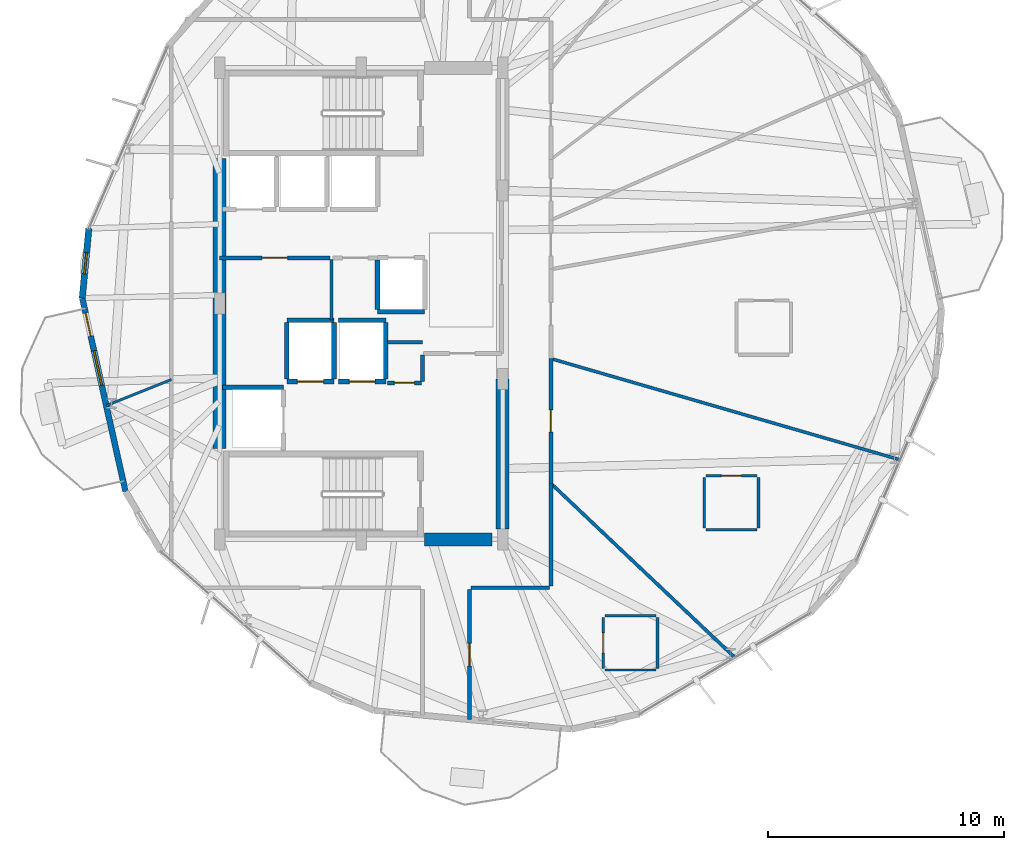
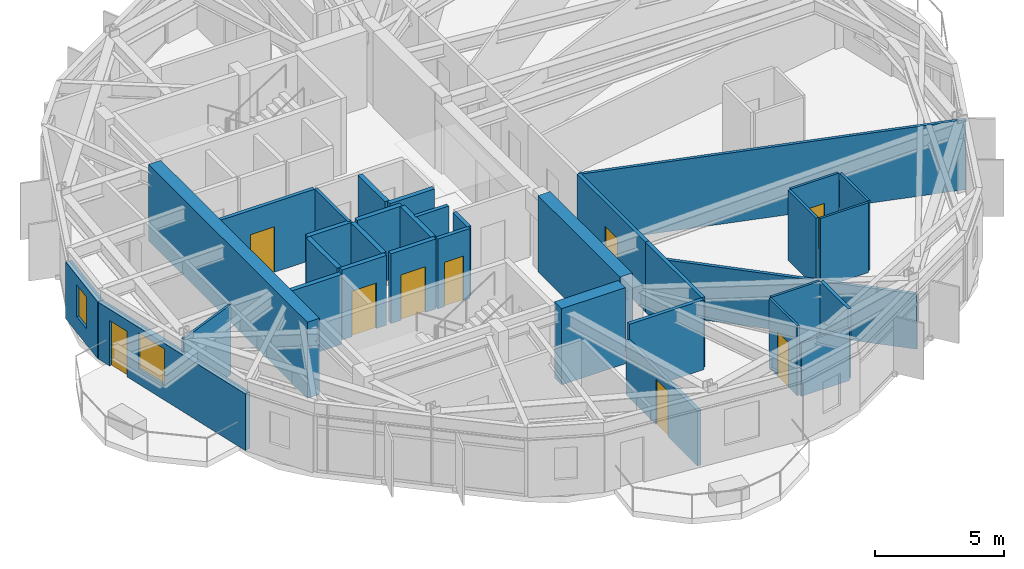
# One storey, part 16 of 21: 35 walls, 9 doors, 2 windows, 11 openings.
"""IFC4 building model written with IfcOpenShell, lengths in metres."""

from ifc_helpers import new_model, si_unit, direction, frame, frame_2d, origin, place, context, subcontext, project, spatial, rectangle, extrude, material, layer, layer_set, type_object, element, fill, save


model = new_model("IFC4")

# Units and contexts
model_context = context("Model", 3, precision=1e-05, world=origin(), true_north=direction((0.0, 1.0)))
body_context = subcontext(model_context, "Body", "Model", "MODEL_VIEW")
ifc_project = project(units=[si_unit("LENGTHUNIT", "METRE"), si_unit("AREAUNIT", "SQUARE_METRE"), si_unit("VOLUMEUNIT", "CUBIC_METRE"), si_unit("PLANEANGLEUNIT", "RADIAN"), si_unit("MASSUNIT", "GRAM", prefix="KILO")], contexts=[model_context])

# Site, building, storey
site_placement = place(None, origin())
site = spatial("IfcSite", under=ifc_project, at=site_placement, CompositionType="ELEMENT")
building_placement = place(site_placement, origin())
building = spatial("IfcBuilding", under=site, at=building_placement, Name="Soratama Intermodal Tower", CompositionType="ELEMENT")
storey_placement = place(building_placement, frame((0.0, 0.0, 146.199951171875)))
storey = spatial("IfcBuildingStorey", under=building, at=storey_placement, Name="L35", CompositionType="ELEMENT", Elevation=146.199951171875)

# Wall, openings, door, window
ifc_material_1 = material(Name="Concrete f'c 42 MPa", Category="concrete")
ifc_layer_1 = layer(ifc_material_1, 0.25)
ifc_layer_set_1 = layer_set([ifc_layer_1], Name="Concrete f'c 42 MPa")
wall_type_1 = type_object("IfcWallType", Name="EW-BAL-250", PredefinedType="SOLIDWALL", material=ifc_layer_set_1)
wall_1_placement = place(storey_placement, frame((26.7763671875, 25.232666015625, 0.0), z_axis=(0.0, 0.0, 1.0), x_axis=(0.218148242033, -0.975915644151, 0.0)))
wall_1 = element("IfcWall", 1, at=wall_1_placement, inside=storey, type_object=wall_type_1, Name="L35 Terrace Wall F05", PredefinedType="SOLIDWALL", context=body_context, shape_type="SweptSolid", body=[
    extrude(rectangle(XDim=8.40478515625, YDim=0.25, at=frame_2d((4.202392578125, 0.0))), origin(), (0.0, 0.0, 1.0), 2.678955078125),
])
opening_1_placement = place(wall_1_placement, frame((0.64990234375, 0.0, 0.0)))
opening_1 = element("IfcOpeningElement", 2, at=opening_1_placement, cuts=wall_1, Name="Opening ED-2", PredefinedType="OPENING", context=body_context, shape_type="SweptSolid", body=[
    extrude(rectangle(XDim=1.0, YDim=2.14990234375, at=frame_2d((0.5, 1.074951171875))), frame((0.0, 0.135009765625, 0.0), z_axis=(0.0, -1.0, 0.0), x_axis=(1.0, 0.0, 0.0)), (0.0, 0.0, 1.0), 0.27001953125),
])
opening_2_placement = place(wall_1_placement, frame((2.2900390625, 0.0, 0.719970703125)))
opening_2 = element("IfcOpeningElement", 3, at=opening_2_placement, cuts=wall_1, Name="Opening WN-1", PredefinedType="OPENING", context=body_context, shape_type="SweptSolid", body=[
    extrude(rectangle(XDim=1.5, YDim=1.699951171875, at=frame_2d((0.75, 0.85009765625))), frame((0.0, 0.135009765625, 0.0), z_axis=(0.0, -1.0, 0.0), x_axis=(1.0, 0.0, 0.0)), (0.0, 0.0, 1.0), 0.27001953125),
])
ifc_material_2 = material(Name="Double-glazed aluminium door", Category="aluminium")
door_type_1 = type_object("IfcDoorType", Name="DR-BAL-1000", OperationType="NOTDEFINED", PredefinedType="DOOR", material=ifc_material_2)
door_1_placement = place(opening_1_placement, origin())
door_1 = element("IfcDoor", 4, at=door_1_placement, inside=storey, type_object=door_type_1, Name="L35 Balcony Door F05", OperationType="SINGLE_SWING_LEFT", OverallHeight=2.14990234375, OverallWidth=1.0, PredefinedType="DOOR", context=body_context, shape_type="SweptSolid", body=[
    extrude(rectangle(XDim=1.0, YDim=2.14990234375, at=frame_2d((0.5, 1.074951171875))), frame((0.0, 0.02490234375, 0.0), z_axis=(0.0, -1.0, 0.0), x_axis=(1.0, 0.0, 0.0)), (0.0, 0.0, 1.0), 0.050048828125),
])
fill(opening_1, door_1)
ifc_material_3 = material(Name="Double-glazed aluminium window", Category="aluminium")
window_type_1 = type_object("IfcWindowType", Name="WN-FAC-1500", PartitioningType="SINGLE_PANEL", PredefinedType="WINDOW", material=ifc_material_3)
window_1_placement = place(opening_2_placement, origin())
window_1 = element("IfcWindow", 5, at=window_1_placement, inside=storey, type_object=window_type_1, Name="L35 Window B F05", OverallHeight=1.699951171875, OverallWidth=1.5, PartitioningType="SINGLE_PANEL", PredefinedType="WINDOW", context=body_context, shape_type="SweptSolid", body=[
    extrude(rectangle(XDim=1.5, YDim=1.699951171875, at=frame_2d((0.75, 0.85009765625))), frame((0.0, 0.030029296875, 0.0), z_axis=(0.0, -1.0, 0.0), x_axis=(1.0, 0.0, 0.0)), (0.0, 0.0, 1.0), 0.06005859375),
])
fill(opening_2, window_1)

# Wall, opening, window
ifc_material_4 = material(Name="Concrete f'c 42 MPa", Category="concrete")
ifc_layer_2 = layer(ifc_material_4, 0.27001953125)
ifc_layer_set_2 = layer_set([ifc_layer_2], Name="Concrete f'c 42 MPa")
wall_type_2 = type_object("IfcWallType", Name="EW-CRN-270", PredefinedType="SOLIDWALL", material=ifc_layer_set_2)
wall_2_placement = place(storey_placement, frame((27.0556640625, 28.18603515625, 0.0), z_axis=(0.0, 0.0, 1.0), x_axis=(-0.094148838896, -0.995558132976, 0.0)))
wall_2 = element("IfcWall", 6, at=wall_2_placement, inside=storey, type_object=wall_type_2, Name="L35 Corner Closure Wall 04", PredefinedType="SOLIDWALL", context=body_context, shape_type="SweptSolid", body=[
    extrude(rectangle(XDim=2.966552734375, YDim=0.27001953125, at=frame_2d((1.4833984375, 0.0))), origin(), (0.0, 0.0, 1.0), 2.678955078125),
])
opening_3_placement = place(wall_2_placement, frame((1.033203125, 0.0, 0.75)))
opening_3 = element("IfcOpeningElement", 7, at=opening_3_placement, cuts=wall_2, Name="Opening WN-6", PredefinedType="OPENING", context=body_context, shape_type="SweptSolid", body=[
    extrude(rectangle(XDim=0.89990234375, YDim=1.5, at=frame_2d((0.449951171875, 0.75))), frame((0.0, 0.14501953125, 0.0), z_axis=(0.0, -1.0, 0.0), x_axis=(1.0, 0.0, 0.0)), (0.0, 0.0, 1.0), 0.2900390625),
])
ifc_material_5 = material(Name="Double-glazed aluminium window", Category="aluminium")
window_type_2 = type_object("IfcWindowType", Name="WN-FAC-900", PartitioningType="SINGLE_PANEL", PredefinedType="WINDOW", material=ifc_material_5)
window_2_placement = place(opening_3_placement, origin())
window_2 = element("IfcWindow", 8, at=window_2_placement, inside=storey, type_object=window_type_2, Name="L35 Corner Window 04", OverallHeight=1.5, OverallWidth=0.89990234375, PartitioningType="SINGLE_PANEL", PredefinedType="WINDOW", context=body_context, shape_type="SweptSolid", body=[
    extrude(rectangle(XDim=0.89990234375, YDim=1.5, at=frame_2d((0.449951171875, 0.75))), frame((0.0, 0.030029296875, 0.0), z_axis=(0.0, -1.0, 0.0), x_axis=(1.0, 0.0, 0.0)), (0.0, 0.0, 1.0), 0.06005859375),
])
fill(opening_3, window_2)

# Wall, opening, door
ifc_material_6 = material(Name="Fire-rated gypsum stud partition", Category="concrete")
ifc_layer_3 = layer(ifc_material_6, 0.159912109375)
ifc_layer_set_3 = layer_set([ifc_layer_3], Name="Fire-rated gypsum stud partition")
wall_type_3 = type_object("IfcWallType", Name="IW-PART-R160", PredefinedType="PARTITIONING", material=ifc_layer_set_3)
wall_3_placement = place(storey_placement, frame((43.199951171875, 12.8798828125, 0.0), z_axis=(0.0, 0.0, 1.0), x_axis=(0.0, -1.0, 0.0)))
wall_3 = element("IfcWall", 9, at=wall_3_placement, inside=storey, type_object=wall_type_3, Name="L35 Partition W-L35-TP014", PredefinedType="PARTITIONING", context=body_context, shape_type="SweptSolid", body=[
    extrude(rectangle(XDim=5.52294921875, YDim=0.159912109375, at=frame_2d((2.761474609375, 0.0))), origin(), (0.0, 0.0, 1.0), 2.594970703125),
])
opening_4_placement = place(wall_3_placement, frame((2.287109375, 0.0, 0.0)))
opening_4 = element("IfcOpeningElement", 10, at=opening_4_placement, cuts=wall_3, Name="Opening ID-3", PredefinedType="OPENING", context=body_context, shape_type="SweptSolid", body=[
    extrude(rectangle(XDim=0.949951171875, YDim=2.14990234375, at=frame_2d((0.47509765625, 1.074951171875))), frame((0.0, 0.08984375, 0.0), z_axis=(0.0, -1.0, 0.0), x_axis=(1.0, 0.0, 0.0)), (0.0, 0.0, 1.0), 0.179931640625),
])
ifc_material_7 = material(Name="Solid hardwood acoustic door", Category="wood")
door_type_2 = type_object("IfcDoorType", Name="DR-ROOM-950", OperationType="NOTDEFINED", PredefinedType="DOOR", material=ifc_material_7)
door_2_placement = place(opening_4_placement, origin())
door_2 = element("IfcDoor", 11, at=door_2_placement, inside=storey, type_object=door_type_2, Name="L35 Door D-L35-TP007", OperationType="SINGLE_SWING_RIGHT", OverallHeight=2.14990234375, OverallWidth=0.949951171875, PredefinedType="DOOR", context=body_context, shape_type="SweptSolid", body=[
    extrude(rectangle(XDim=0.949951171875, YDim=2.14990234375, at=frame_2d((0.47509765625, 1.074951171875))), frame((0.0, 0.02490234375, 0.0), z_axis=(0.0, -1.0, 0.0), x_axis=(1.0, 0.0, 0.0)), (0.0, 0.0, 1.0), 0.050048828125),
])
fill(opening_4, door_2)

wall_4_placement = place(storey_placement, frame((46.64990234375, 22.66796875, 0.0), z_axis=(0.0, 0.0, 1.0), x_axis=(0.0, -1.0, 0.0)))
wall_4 = element("IfcWall", 12, at=wall_4_placement, inside=storey, type_object=wall_type_3, Name="L35 Partition W-L35-TP016", PredefinedType="PARTITIONING", context=body_context, shape_type="SweptSolid", body=[
    extrude(rectangle(XDim=5.291015625, YDim=0.159912109375, at=frame_2d((2.6455078125, 0.0))), origin(), (0.0, 0.0, 1.0), 3.300048828125),
])
opening_5_placement = place(wall_4_placement, frame((2.1708984375, 0.0, 0.0)))
opening_5 = element("IfcOpeningElement", 13, at=opening_5_placement, cuts=wall_4, Name="Opening ID-3", PredefinedType="OPENING", context=body_context, shape_type="SweptSolid", body=[
    extrude(rectangle(XDim=0.949951171875, YDim=2.14990234375, at=frame_2d((0.47509765625, 1.074951171875))), frame((0.0, 0.08984375, 0.0), z_axis=(0.0, -1.0, 0.0), x_axis=(1.0, 0.0, 0.0)), (0.0, 0.0, 1.0), 0.179931640625),
])
door_3_placement = place(opening_5_placement, origin())
door_3 = element("IfcDoor", 14, at=door_3_placement, inside=storey, type_object=door_type_2, Name="L35 Door D-L35-TP008", OperationType="SINGLE_SWING_LEFT", OverallHeight=2.14990234375, OverallWidth=0.949951171875, PredefinedType="DOOR", context=body_context, shape_type="SweptSolid", body=[
    extrude(rectangle(XDim=0.949951171875, YDim=2.14990234375, at=frame_2d((0.47509765625, 1.074951171875))), frame((0.0, 0.02490234375, 0.0), z_axis=(0.0, -1.0, 0.0), x_axis=(1.0, 0.0, 0.0)), (0.0, 0.0, 1.0), 0.050048828125),
])
fill(opening_5, door_3)

wall_5_placement = place(storey_placement, frame((37.2900390625, 26.93994140625, 0.0), z_axis=(0.0, 0.0, 1.0), x_axis=(-1.0, 0.0, 0.0)))
wall_5 = element("IfcWall", 15, at=wall_5_placement, inside=storey, type_object=wall_type_3, Name="L35 Partition W-L35-TP019", PredefinedType="PARTITIONING", context=body_context, shape_type="SweptSolid", body=[
    extrude(rectangle(XDim=4.68994140625, YDim=0.159912109375, at=frame_2d((2.344970703125, 0.0))), origin(), (0.0, 0.0, 1.0), 3.300048828125),
])
opening_6_placement = place(wall_5_placement, frame((1.804931640625, 0.0, 0.0)))
opening_6 = element("IfcOpeningElement", 16, at=opening_6_placement, cuts=wall_5, Name="Opening ID-1", PredefinedType="OPENING", context=body_context, shape_type="SweptSolid", body=[
    extrude(rectangle(XDim=1.080078125, YDim=2.14990234375, at=frame_2d((0.5400390625, 1.074951171875))), frame((0.0, 0.08984375, 0.0), z_axis=(0.0, -1.0, 0.0), x_axis=(1.0, 0.0, 0.0)), (0.0, 0.0, 1.0), 0.179931640625),
])
ifc_material_8 = material(Name="Solid hardwood acoustic door", Category="wood")
door_type_3 = type_object("IfcDoorType", Name="DR-LOB-FD60", OperationType="NOTDEFINED", PredefinedType="DOOR", material=ifc_material_8)
door_4_placement = place(opening_6_placement, origin())
door_4 = element("IfcDoor", 17, at=door_4_placement, inside=storey, type_object=door_type_3, Name="L35 Door D-L35-TP009", OperationType="SINGLE_SWING_RIGHT", OverallHeight=2.14990234375, OverallWidth=1.080078125, PredefinedType="DOOR", context=body_context, shape_type="SweptSolid", body=[
    extrude(rectangle(XDim=1.080078125, YDim=2.14990234375, at=frame_2d((0.5400390625, 1.074951171875))), frame((0.0, 0.02490234375, 0.0), z_axis=(0.0, -1.0, 0.0), x_axis=(1.0, 0.0, 0.0)), (0.0, 0.0, 1.0), 0.050048828125),
])
fill(opening_6, door_4)

# Walls
wall_6_placement = place(storey_placement, frame((46.64990234375, 17.376953125, 0.0), z_axis=(0.0, 0.0, 1.0), x_axis=(0.0, -1.0, 0.0)))
element("IfcWall", 18, at=wall_6_placement, inside=storey, type_object=wall_type_3, Name="L35 Partition W-L35-TP020", PredefinedType="PARTITIONING", context=body_context, shape_type="SweptSolid", body=[
    extrude(rectangle(XDim=4.35693359375, YDim=0.159912109375, at=frame_2d((2.178466796875, 0.0))), origin(), (0.0, 0.0, 1.0), 3.300048828125),
])
wall_7_placement = place(storey_placement, frame((46.580078125, 12.949951171875, 0.0), z_axis=(0.0, 0.0, 1.0), x_axis=(-1.0, 0.0, 0.0)))
element("IfcWall", 19, at=wall_7_placement, inside=storey, type_object=wall_type_3, Name="L35 Partition W-L35-TP024", PredefinedType="PARTITIONING", context=body_context, shape_type="SweptSolid", body=[
    extrude(rectangle(XDim=3.31005859375, YDim=0.159912109375, at=frame_2d((1.655029296875, 0.0))), origin(), (0.0, 0.0, 1.0), 3.300048828125),
])
wall_8_placement = place(storey_placement, frame((41.199951171875, 23.360107421875, 0.0), z_axis=(0.0, 0.0, 1.0), x_axis=(-1.0, 0.0, 0.0)))
element("IfcWall", 20, at=wall_8_placement, inside=storey, type_object=wall_type_3, Name="L35 Partition W-L35-TP047", PredefinedType="PARTITIONING", context=body_context, shape_type="SweptSolid", body=[
    extrude(rectangle(XDim=1.47998046875, YDim=0.159912109375, at=frame_2d((0.739990234375, 0.0))), origin(), (0.0, 0.0, 1.0), 3.300048828125),
])

# Wall, opening, door
ifc_material_9 = material(Name="Fire-rated gypsum stud partition", Category="concrete")
ifc_layer_4 = layer(ifc_material_9, 0.169921875)
ifc_layer_set_4 = layer_set([ifc_layer_4], Name="Fire-rated gypsum stud partition")
wall_type_4 = type_object("IfcWallType", Name="IW-PART-R170", PredefinedType="PARTITIONING", material=ifc_layer_set_4)
wall_9_placement = place(storey_placement, frame((39.719970703125, 21.639892578125, 0.0), z_axis=(0.0, 0.0, 1.0), x_axis=(1.0, 0.0, 0.0)))
wall_9 = element("IfcWall", 21, at=wall_9_placement, inside=storey, type_object=wall_type_4, Name="L35 Partition W-L35-TP044", PredefinedType="PARTITIONING", context=body_context, shape_type="SweptSolid", body=[
    extrude(rectangle(XDim=1.43994140625, YDim=0.169921875, at=frame_2d((0.719970703125, 0.0))), origin(), (0.0, 0.0, 1.0), 3.300048828125),
])
opening_7_placement = place(wall_9_placement, frame((0.294921875, 0.0, 0.0)))
opening_7 = element("IfcOpeningElement", 22, at=opening_7_placement, cuts=wall_9, Name="Opening ID-4", PredefinedType="OPENING", context=body_context, shape_type="SweptSolid", body=[
    extrude(rectangle(XDim=0.85009765625, YDim=2.10009765625, at=frame_2d((0.425048828125, 1.050048828125))), frame((0.0, 0.094970703125, 0.0), z_axis=(0.0, -1.0, 0.0), x_axis=(1.0, 0.0, 0.0)), (0.0, 0.0, 1.0), 0.18994140625),
])
ifc_material_10 = material(Name="Solid hardwood acoustic door", Category="wood")
door_type_4 = type_object("IfcDoorType", Name="DR-BATH-850", OperationType="NOTDEFINED", PredefinedType="DOOR", material=ifc_material_10)
door_5_placement = place(opening_7_placement, origin())
door_5 = element("IfcDoor", 23, at=door_5_placement, inside=storey, type_object=door_type_4, Name="L35 Door D-L35-TP020", OperationType="SINGLE_SWING_LEFT", OverallHeight=2.10009765625, OverallWidth=0.85009765625, PredefinedType="DOOR", context=body_context, shape_type="SweptSolid", body=[
    extrude(rectangle(XDim=0.85009765625, YDim=2.10009765625, at=frame_2d((0.425048828125, 1.050048828125))), frame((0.0, 0.02490234375, 0.0), z_axis=(0.0, -1.0, 0.0), x_axis=(1.0, 0.0, 0.0)), (0.0, 0.0, 1.0), 0.050048828125),
])
fill(opening_7, door_5)

# Walls
wall_10_placement = place(storey_placement, frame((41.199951171875, 21.699951171875, 0.0), z_axis=(0.0, 0.0, 1.0), x_axis=(0.0, 1.0, 0.0)))
element("IfcWall", 24, at=wall_10_placement, inside=storey, type_object=wall_type_4, Name="L35 Partition W-L35-TP045", PredefinedType="PARTITIONING", context=body_context, shape_type="SweptSolid", body=[
    extrude(rectangle(XDim=1.1201171875, YDim=0.169921875, at=frame_2d((0.56005859375, 0.0))), origin(), (0.0, 0.0, 1.0), 3.300048828125),
])
ifc_material_11 = material(Name="Fire-rated gypsum stud partition", Category="concrete")
ifc_layer_5 = layer(ifc_material_11, 0.10009765625)
ifc_layer_set_5 = layer_set([ifc_layer_5], Name="Fire-rated gypsum stud partition")
wall_type_5 = type_object("IfcWallType", Name="IW-PART-S100", PredefinedType="PARTITIONING", material=ifc_layer_set_5)
wall_11_placement = place(storey_placement, frame((30.550048828125, 21.778076171875, 0.0), z_axis=(0.0, 0.0, 1.0), x_axis=(-0.928476690885, -0.371390676354, 0.0)))
element("IfcWall", 25, at=wall_11_placement, inside=storey, type_object=wall_type_5, Name="L35 Partition W-L35-TP025", PredefinedType="PARTITIONING", context=body_context, shape_type="SweptSolid", body=[
    extrude(rectangle(XDim=2.96728515625, YDim=0.10009765625, at=frame_2d((1.483642578125, 0.0))), origin(), (0.0, 0.0, 1.0), 3.300048828125),
])
wall_12_placement = place(storey_placement, frame((53.22412109375, 15.405029296875, 0.0), z_axis=(0.0, 0.0, 1.0), x_axis=(1.0, 0.0, 0.0)))
element("IfcWall", 26, at=wall_12_placement, inside=storey, type_object=wall_type_5, Name="L35 Partition W-L35-TP030", PredefinedType="PARTITIONING", context=body_context, shape_type="SweptSolid", body=[
    extrude(rectangle(XDim=2.159912109375, YDim=0.10009765625, at=frame_2d((1.080078125, 0.0))), origin(), (0.0, 0.0, 1.0), 3.300048828125),
])

# Wall, opening, door
wall_13_placement = place(storey_placement, frame((48.8720703125, 11.695068359375, 0.0), z_axis=(0.0, 0.0, 1.0), x_axis=(0.0, -1.0, 0.0)))
wall_13 = element("IfcWall", 27, at=wall_13_placement, inside=storey, type_object=wall_type_5, Name="L35 Partition W-L35-TP035", PredefinedType="PARTITIONING", context=body_context, shape_type="SweptSolid", body=[
    extrude(rectangle(XDim=2.16015625, YDim=0.10009765625, at=frame_2d((1.080078125, 0.0))), origin(), (0.0, 0.0, 1.0), 3.300048828125),
])
opening_8_placement = place(wall_13_placement, frame((0.655029296875, 0.0, 0.0)))
opening_8 = element("IfcOpeningElement", 28, at=opening_8_placement, cuts=wall_13, Name="Opening ID-4", PredefinedType="OPENING", context=body_context, shape_type="SweptSolid", body=[
    extrude(rectangle(XDim=0.85009765625, YDim=2.10009765625, at=frame_2d((0.425048828125, 1.050048828125))), frame((0.0, 0.06005859375, 0.0), z_axis=(0.0, -1.0, 0.0), x_axis=(1.0, 0.0, 0.0)), (0.0, 0.0, 1.0), 0.1201171875),
])
door_6_placement = place(opening_8_placement, origin())
door_6 = element("IfcDoor", 29, at=door_6_placement, inside=storey, type_object=door_type_4, Name="L35 Door D-L35-TP017", OperationType="SINGLE_SWING_RIGHT", OverallHeight=2.10009765625, OverallWidth=0.85009765625, PredefinedType="DOOR", context=body_context, shape_type="SweptSolid", body=[
    extrude(rectangle(XDim=0.85009765625, YDim=2.10009765625, at=frame_2d((0.425048828125, 1.050048828125))), frame((0.0, 0.02490234375, 0.0), z_axis=(0.0, -1.0, 0.0), x_axis=(1.0, 0.0, 0.0)), (0.0, 0.0, 1.0), 0.050048828125),
])
fill(opening_8, door_6)

# Wall
wall_14_placement = place(storey_placement, frame((48.94189453125, 9.465087890625, 0.0), z_axis=(0.0, 0.0, 1.0), x_axis=(1.0, 0.0, 0.0)))
element("IfcWall", 30, at=wall_14_placement, inside=storey, type_object=wall_type_5, Name="L35 Partition W-L35-TP040", PredefinedType="PARTITIONING", context=body_context, shape_type="SweptSolid", body=[
    extrude(rectangle(XDim=2.16015625, YDim=0.10009765625, at=frame_2d((1.080078125, 0.0))), origin(), (0.0, 0.0, 1.0), 2.510986328125),
])

# Wall, opening, door
ifc_material_12 = material(Name="Fire-rated gypsum stud partition", Category="concrete")
ifc_layer_6 = layer(ifc_material_12, 0.110107421875)
ifc_layer_set_6 = layer_set([ifc_layer_6], Name="Fire-rated gypsum stud partition")
wall_type_6 = type_object("IfcWallType", Name="IW-PART-S110", PredefinedType="PARTITIONING", material=ifc_layer_set_6)
wall_15_placement = place(storey_placement, frame((55.384033203125, 17.705078125, 0.0), z_axis=(0.0, 0.0, 1.0), x_axis=(-1.0, 0.0, 0.0)))
wall_15 = element("IfcWall", 31, at=wall_15_placement, inside=storey, type_object=wall_type_6, Name="L35 Partition W-L35-TP029", PredefinedType="PARTITIONING", context=body_context, shape_type="SweptSolid", body=[
    extrude(rectangle(XDim=2.159912109375, YDim=0.110107421875, at=frame_2d((1.080078125, 0.0))), origin(), (0.0, 0.0, 1.0), 3.300048828125),
])
opening_9_placement = place(wall_15_placement, frame((0.655029296875, 0.0, 0.0)))
opening_9 = element("IfcOpeningElement", 32, at=opening_9_placement, cuts=wall_15, Name="Opening ID-4", PredefinedType="OPENING", context=body_context, shape_type="SweptSolid", body=[
    extrude(rectangle(XDim=0.85009765625, YDim=2.10009765625, at=frame_2d((0.425048828125, 1.050048828125))), frame((0.0, 0.06494140625, 0.0), z_axis=(0.0, -1.0, 0.0), x_axis=(1.0, 0.0, 0.0)), (0.0, 0.0, 1.0), 0.130126953125),
])
door_7_placement = place(opening_9_placement, origin())
door_7 = element("IfcDoor", 33, at=door_7_placement, inside=storey, type_object=door_type_4, Name="L35 Door D-L35-TP015", OperationType="SINGLE_SWING_RIGHT", OverallHeight=2.10009765625, OverallWidth=0.85009765625, PredefinedType="DOOR", context=body_context, shape_type="SweptSolid", body=[
    extrude(rectangle(XDim=0.85009765625, YDim=2.10009765625, at=frame_2d((0.425048828125, 1.050048828125))), frame((0.0, 0.02490234375, 0.0), z_axis=(0.0, -1.0, 0.0), x_axis=(1.0, 0.0, 0.0)), (0.0, 0.0, 1.0), 0.050048828125),
])
fill(opening_9, door_7)

# Walls
wall_16_placement = place(storey_placement, frame((55.4541015625, 15.47509765625, 0.0), z_axis=(0.0, 0.0, 1.0), x_axis=(0.0, 1.0, 0.0)))
element("IfcWall", 34, at=wall_16_placement, inside=storey, type_object=wall_type_6, Name="L35 Partition W-L35-TP034", PredefinedType="PARTITIONING", context=body_context, shape_type="SweptSolid", body=[
    extrude(rectangle(XDim=2.159912109375, YDim=0.110107421875, at=frame_2d((1.080078125, 0.0))), origin(), (0.0, 0.0, 1.0), 3.300048828125),
])
wall_17_placement = place(storey_placement, frame((51.10205078125, 11.764892578125, 0.0), z_axis=(0.0, 0.0, 1.0), x_axis=(-1.0, 0.0, 0.0)))
element("IfcWall", 35, at=wall_17_placement, inside=storey, type_object=wall_type_6, Name="L35 Partition W-L35-TP039", PredefinedType="PARTITIONING", context=body_context, shape_type="SweptSolid", body=[
    extrude(rectangle(XDim=2.16015625, YDim=0.110107421875, at=frame_2d((1.080078125, 0.0))), origin(), (0.0, 0.0, 1.0), 3.300048828125),
])
ifc_material_13 = material(Name="Fire-rated gypsum stud partition", Category="concrete")
ifc_layer_7 = layer(ifc_material_13, 0.1201171875)
ifc_layer_set_7 = layer_set([ifc_layer_7], Name="Fire-rated gypsum stud partition")
wall_type_7 = type_object("IfcWallType", Name="IW-PART-S120", PredefinedType="PARTITIONING", material=ifc_layer_set_7)
wall_18_placement = place(storey_placement, frame((53.154052734375, 17.635009765625, 0.0), z_axis=(0.0, 0.0, 1.0), x_axis=(0.0, -1.0, 0.0)))
element("IfcWall", 36, at=wall_18_placement, inside=storey, type_object=wall_type_7, Name="L35 Partition W-L35-TP033", PredefinedType="PARTITIONING", context=body_context, shape_type="SweptSolid", body=[
    extrude(rectangle(XDim=2.159912109375, YDim=0.1201171875, at=frame_2d((1.080078125, 0.0))), origin(), (0.0, 0.0, 1.0), 3.300048828125),
])
ifc_material_14 = material(Name="Fire-rated gypsum stud partition", Category="concrete")
ifc_layer_8 = layer(ifc_material_14, 0.1298828125)
ifc_layer_set_8 = layer_set([ifc_layer_8], Name="Fire-rated gypsum stud partition")
wall_type_8 = type_object("IfcWallType", Name="IW-PART-S130", PredefinedType="PARTITIONING", material=ifc_layer_set_8)
wall_19_placement = place(storey_placement, frame((46.64990234375, 22.66796875, 0.0), z_axis=(0.0, 0.0, 1.0), x_axis=(0.96048207522, -0.278341845904, 0.0)))
element("IfcWall", 37, at=wall_19_placement, inside=storey, type_object=wall_type_8, Name="L35 Partition W-L35-TP002", PredefinedType="PARTITIONING", context=body_context, shape_type="SweptSolid", body=[
    extrude(rectangle(XDim=15.416259765625, YDim=0.1298828125, at=frame_2d((7.7080078125, 0.0))), origin(), (0.0, 0.0, 1.0), 3.300048828125),
])
wall_20_placement = place(storey_placement, frame((37.35009765625, 26.8798828125, 0.0), z_axis=(0.0, 0.0, 1.0), x_axis=(0.0, -1.0, 0.0)))
element("IfcWall", 38, at=wall_20_placement, inside=storey, type_object=wall_type_8, Name="L35 Partition W-L35-TP027", PredefinedType="PARTITIONING", context=body_context, shape_type="SweptSolid", body=[
    extrude(rectangle(XDim=2.579833984375, YDim=0.1298828125, at=frame_2d((1.2900390625, 0.0))), origin(), (0.0, 0.0, 1.0), 3.300048828125),
])
ifc_material_15 = material(Name="Fire-rated gypsum stud partition", Category="concrete")
ifc_layer_9 = layer(ifc_material_15, 0.139892578125)
ifc_layer_set_9 = layer_set([ifc_layer_9], Name="Fire-rated gypsum stud partition")
wall_type_9 = type_object("IfcWallType", Name="IW-PART-S140", PredefinedType="PARTITIONING", material=ifc_layer_set_9)
wall_21_placement = place(storey_placement, frame((46.64990234375, 17.376953125, 0.0), z_axis=(0.0, 0.0, 1.0), x_axis=(0.726163368338, -0.687522190539, 0.0)))
element("IfcWall", 39, at=wall_21_placement, inside=storey, type_object=wall_type_9, Name="L35 Partition W-L35-TP006", PredefinedType="PARTITIONING", context=body_context, shape_type="SweptSolid", body=[
    extrude(rectangle(XDim=10.7470703125, YDim=0.139892578125, at=frame_2d((5.37353515625, 0.0))), origin(), (0.0, 0.0, 1.0), 2.594970703125),
])
wall_22_placement = place(storey_placement, frame((51.172119140625, 9.534912109375, 0.0), z_axis=(0.0, 0.0, 1.0), x_axis=(0.0, 1.0, 0.0)))
element("IfcWall", 40, at=wall_22_placement, inside=storey, type_object=wall_type_9, Name="L35 Partition W-L35-TP036", PredefinedType="PARTITIONING", context=body_context, shape_type="SweptSolid", body=[
    extrude(rectangle(XDim=2.16015625, YDim=0.139892578125, at=frame_2d((1.080078125, 0.0))), origin(), (0.0, 0.0, 1.0), 3.300048828125),
])

# Wall, opening, door
ifc_material_16 = material(Name="Concrete f'c 42 MPa", Category="concrete")
ifc_layer_10 = layer(ifc_material_16, 0.199951171875)
ifc_layer_set_10 = layer_set([ifc_layer_10], Name="Concrete f'c 42 MPa")
wall_type_10 = type_object("IfcWallType", Name="IW-SHAFT-200", PredefinedType="SOLIDWALL", material=ifc_layer_set_10)
wall_23_placement = place(storey_placement, frame((35.449951171875, 21.699951171875, 0.0), z_axis=(0.0, 0.0, 1.0), x_axis=(1.0, 0.0, 0.0)))
wall_23 = element("IfcWall", 41, at=wall_23_placement, inside=storey, type_object=wall_type_10, Name="L35 FFL-1 Hoistway Wall S", PredefinedType="SOLIDWALL", context=body_context, shape_type="SweptSolid", body=[
    extrude(rectangle(XDim=2.0, YDim=0.199951171875, at=frame_2d((1.0, 0.0))), origin(), (0.0, 0.0, 1.0), 3.300048828125),
])
opening_10_placement = place(wall_23_placement, frame((0.449951171875, 0.0, 0.0)))
opening_10 = element("IfcOpeningElement", 42, at=opening_10_placement, cuts=wall_23, Name="Opening LD-1", PredefinedType="OPENING", context=body_context, shape_type="SweptSolid", body=[
    extrude(rectangle(XDim=1.10009765625, YDim=2.14990234375, at=frame_2d((0.550048828125, 1.074951171875))), frame((0.0, 0.10986328125, 0.0), z_axis=(0.0, -1.0, 0.0), x_axis=(1.0, 0.0, 0.0)), (0.0, 0.0, 1.0), 0.219970703125),
])
ifc_material_17 = material(Name="Steel fire door", Category="steel")
door_type_5 = type_object("IfcDoorType", Name="DR-LIFT-SLIDE", OperationType="NOTDEFINED", PredefinedType="DOOR", material=ifc_material_17)
door_8_placement = place(opening_10_placement, origin())
door_8 = element("IfcDoor", 43, at=door_8_placement, inside=storey, type_object=door_type_5, Name="L35 FFL-1 Sliding Landing Door", OperationType="SLIDING_TO_LEFT", OverallHeight=2.14990234375, OverallWidth=1.10009765625, PredefinedType="DOOR", context=body_context, shape_type="SweptSolid", body=[
    extrude(rectangle(XDim=1.10009765625, YDim=2.14990234375, at=frame_2d((0.550048828125, 1.074951171875))), frame((0.0, 0.02490234375, 0.0), z_axis=(0.0, -1.0, 0.0), x_axis=(1.0, 0.0, 0.0)), (0.0, 0.0, 1.0), 0.050048828125),
])
fill(opening_10, door_8)

# Walls
wall_24_placement = place(storey_placement, frame((35.449951171875, 24.300048828125, 0.0), z_axis=(0.0, 0.0, 1.0), x_axis=(1.0, 0.0, 0.0)))
element("IfcWall", 44, at=wall_24_placement, inside=storey, type_object=wall_type_10, Name="L35 FFL-1 Hoistway Wall N", PredefinedType="SOLIDWALL", context=body_context, shape_type="SweptSolid", body=[
    extrude(rectangle(XDim=2.0, YDim=0.199951171875, at=frame_2d((1.0, 0.0))), origin(), (0.0, 0.0, 1.0), 3.300048828125),
])
for number, where, z_axis, x_axis, name in (
    (45, (35.449951171875, 21.81005859375, 0.0), (0.0, 0.0, 1.0), (0.0, 1.0, 0.0), "L35 FFL-1 Hoistway Wall W"),
    (46, (37.449951171875, 21.81005859375, 0.0), (0.0, 0.0, 1.0), (0.0, 1.0, 0.0), "L35 FFL-1 Hoistway Wall E"),
):
    element("IfcWall", number, at=place(storey_placement, frame(where, z_axis=z_axis, x_axis=x_axis)), inside=storey, type_object=wall_type_10, Name=name, PredefinedType="SOLIDWALL", context=body_context, shape_type="SweptSolid", body=[
        extrude(rectangle(XDim=2.3798828125, YDim=0.199951171875, at=frame_2d((1.18994140625, 0.0))), origin(), (0.0, 0.0, 1.0), 3.300048828125),
    ])

# Wall, opening, door
wall_25_placement = place(storey_placement, frame((37.64990234375, 21.699951171875, 0.0), z_axis=(0.0, 0.0, 1.0), x_axis=(1.0, 0.0, 0.0)))
wall_25 = element("IfcWall", 47, at=wall_25_placement, inside=storey, type_object=wall_type_10, Name="L35 FFL-2 Hoistway Wall S", PredefinedType="SOLIDWALL", context=body_context, shape_type="SweptSolid", body=[
    extrude(rectangle(XDim=2.0, YDim=0.199951171875, at=frame_2d((1.0, 0.0))), origin(), (0.0, 0.0, 1.0), 3.300048828125),
])
opening_11_placement = place(wall_25_placement, frame((0.449951171875, 0.0, 0.0)))
opening_11 = element("IfcOpeningElement", 48, at=opening_11_placement, cuts=wall_25, Name="Opening LD-1", PredefinedType="OPENING", context=body_context, shape_type="SweptSolid", body=[
    extrude(rectangle(XDim=1.10009765625, YDim=2.14990234375, at=frame_2d((0.550048828125, 1.074951171875))), frame((0.0, 0.10986328125, 0.0), z_axis=(0.0, -1.0, 0.0), x_axis=(1.0, 0.0, 0.0)), (0.0, 0.0, 1.0), 0.219970703125),
])
door_9_placement = place(opening_11_placement, origin())
door_9 = element("IfcDoor", 49, at=door_9_placement, inside=storey, type_object=door_type_5, Name="L35 FFL-2 Sliding Landing Door", OperationType="SLIDING_TO_LEFT", OverallHeight=2.14990234375, OverallWidth=1.10009765625, PredefinedType="DOOR", context=body_context, shape_type="SweptSolid", body=[
    extrude(rectangle(XDim=1.10009765625, YDim=2.14990234375, at=frame_2d((0.550048828125, 1.074951171875))), frame((0.0, 0.02490234375, 0.0), z_axis=(0.0, -1.0, 0.0), x_axis=(1.0, 0.0, 0.0)), (0.0, 0.0, 1.0), 0.050048828125),
])
fill(opening_11, door_9)

# Walls
wall_26_placement = place(storey_placement, frame((37.64990234375, 24.300048828125, 0.0), z_axis=(0.0, 0.0, 1.0), x_axis=(1.0, 0.0, 0.0)))
element("IfcWall", 50, at=wall_26_placement, inside=storey, type_object=wall_type_10, Name="L35 FFL-2 Hoistway Wall N", PredefinedType="SOLIDWALL", context=body_context, shape_type="SweptSolid", body=[
    extrude(rectangle(XDim=2.0, YDim=0.199951171875, at=frame_2d((1.0, 0.0))), origin(), (0.0, 0.0, 1.0), 3.300048828125),
])
wall_27_placement = place(storey_placement, frame((39.64990234375, 21.81005859375, 0.0), z_axis=(0.0, 0.0, 1.0), x_axis=(0.0, 1.0, 0.0)))
element("IfcWall", 51, at=wall_27_placement, inside=storey, type_object=wall_type_10, Name="L35 FFL-2 Hoistway Wall E", PredefinedType="SOLIDWALL", context=body_context, shape_type="SweptSolid", body=[
    extrude(rectangle(XDim=2.3798828125, YDim=0.199951171875, at=frame_2d((1.18994140625, 0.0))), origin(), (0.0, 0.0, 1.0), 3.300048828125),
])
wall_28_placement = place(storey_placement, frame((32.719970703125, 21.449951171875, 0.0), z_axis=(0.0, 0.0, 1.0), x_axis=(1.0, 0.0, 0.0)))
element("IfcWall", 52, at=wall_28_placement, inside=storey, type_object=wall_type_10, Name="L35 SVL-1 Hoistway Wall N", PredefinedType="SOLIDWALL", context=body_context, shape_type="SweptSolid", body=[
    extrude(rectangle(XDim=2.580078125, YDim=0.199951171875, at=frame_2d((1.2900390625, 0.0))), origin(), (0.0, 0.0, 1.0), 3.300048828125),
])
wall_29_placement = place(storey_placement, frame((39.300048828125, 24.64990234375, 0.0), z_axis=(0.0, 0.0, 1.0), x_axis=(1.0, 0.0, 0.0)))
element("IfcWall", 53, at=wall_29_placement, inside=storey, type_object=wall_type_10, Name="L35 PL-M1 Hoistway Wall S", PredefinedType="SOLIDWALL", context=body_context, shape_type="SweptSolid", body=[
    extrude(rectangle(XDim=2.0, YDim=0.199951171875, at=frame_2d((1.0, 0.0))), origin(), (0.0, 0.0, 1.0), 3.300048828125),
])
wall_30_placement = place(storey_placement, frame((39.300048828125, 24.760009765625, 0.0), z_axis=(0.0, 0.0, 1.0), x_axis=(0.0, 1.0, 0.0)))
element("IfcWall", 54, at=wall_30_placement, inside=storey, type_object=wall_type_10, Name="L35 PL-M1 Hoistway Wall W", PredefinedType="SOLIDWALL", context=body_context, shape_type="SweptSolid", body=[
    extrude(rectangle(XDim=2.080078125, YDim=0.199951171875, at=frame_2d((1.0400390625, 0.0))), origin(), (0.0, 0.0, 1.0), 3.300048828125),
])
ifc_material_18 = material(Name="Concrete f'c 56 MPa", Category="concrete")
ifc_layer_11 = layer(ifc_material_18, 0.550048828125)
ifc_layer_set_11 = layer_set([ifc_layer_11], Name="Concrete f'c 56 MPa")
wall_type_11 = type_object("IfcWallType", Name="SW-CORE-550", PredefinedType="SHEAR", material=ifc_layer_set_11)
wall_31_placement = place(storey_placement, frame((32.60009765625, 18.85009765625, 0.0), z_axis=(0.0, 0.0, 1.0), x_axis=(0.0, 1.0, 0.0)))
element("IfcWall", 55, at=wall_31_placement, inside=storey, type_object=wall_type_11, Name="L35 Core Shear Wall CW-WMID", PredefinedType="SHEAR", context=body_context, shape_type="SweptSolid", body=[
    extrude(rectangle(XDim=12.2998046875, YDim=0.550048828125, at=frame_2d((6.14990234375, 0.0))), origin(), (0.0, 0.0, 1.0), 3.60009765625),
])
wall_32_placement = place(storey_placement, frame((41.300048828125, 15.0, 0.0), z_axis=(0.0, 0.0, 1.0), x_axis=(1.0, 0.0, 0.0)))
element("IfcWall", 56, at=wall_32_placement, inside=storey, type_object=wall_type_11, Name="L35 Core Shear Wall CW-SE", PredefinedType="SHEAR", context=body_context, shape_type="SweptSolid", body=[
    extrude(rectangle(XDim=2.849853515625, YDim=0.550048828125, at=frame_2d((1.4248046875, 0.0))), origin(), (0.0, 0.0, 1.0), 3.60009765625),
])
wall_33_placement = place(storey_placement, frame((44.60009765625, 15.449951171875, 0.0), z_axis=(0.0, 0.0, 1.0), x_axis=(0.0, 1.0, 0.0)))
element("IfcWall", 57, at=wall_33_placement, inside=storey, type_object=wall_type_11, Name="L35 Core Shear Wall CW-ES", PredefinedType="SHEAR", context=body_context, shape_type="SweptSolid", body=[
    extrude(rectangle(XDim=6.35009765625, YDim=0.550048828125, at=frame_2d((3.175048828125, 0.0))), origin(), (0.0, 0.0, 1.0), 3.60009765625),
])

save(model, "model.ifc")
